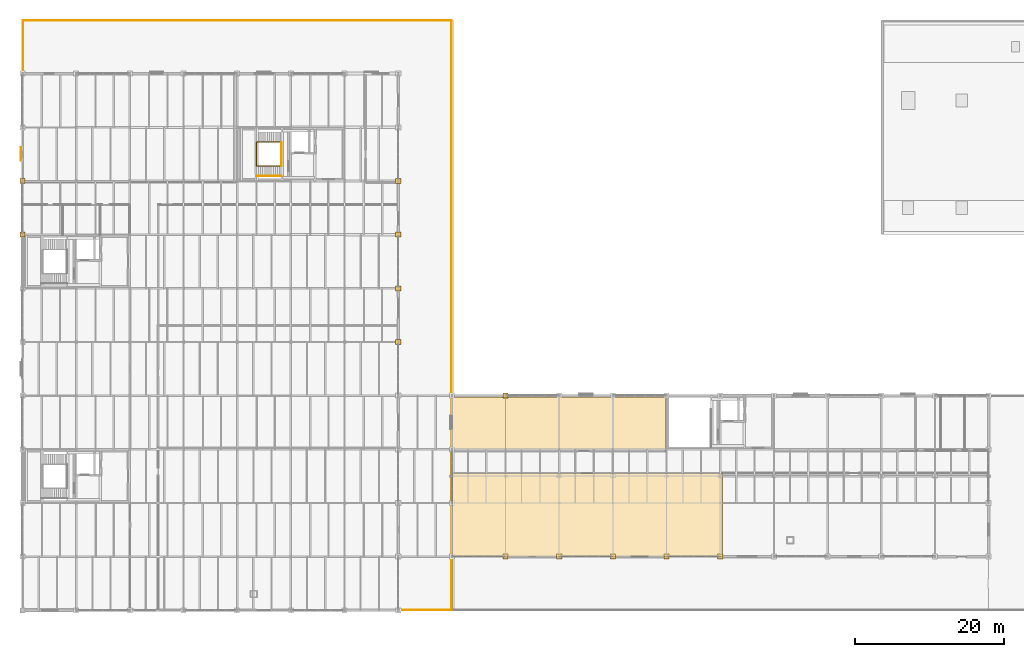
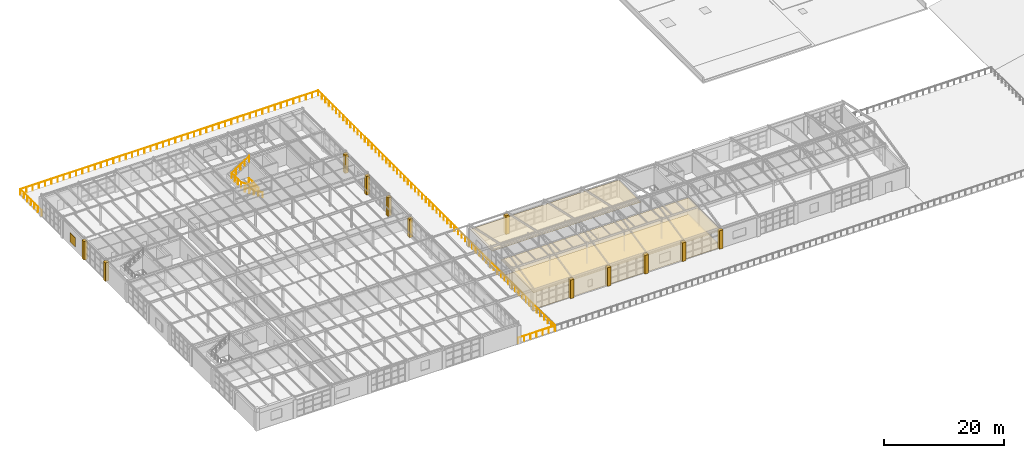
# One storey, part 98 of 101: 15 coverings, 4 railings, 1 shading device.
"""IFC4 building model written with IfcOpenShell, lengths in metres."""

from ifc_helpers import new_model, si_unit, direction, frame, origin, origin_2d, place, context, subcontext, project, spatial, polyline, rectangle, circle, outline, extrude, material, layer, layer_set, type_object, element, save


model = new_model("IFC4")

# Units and contexts
model_context = context("Model", 3, precision=1e-05, world=origin(), true_north=direction((0.0, 1.0)))
body_context = subcontext(model_context, "Body", "Model", "MODEL_VIEW")
ifc_project = project(units=[si_unit("LENGTHUNIT", "METRE"), si_unit("AREAUNIT", "SQUARE_METRE"), si_unit("VOLUMEUNIT", "CUBIC_METRE"), si_unit("PLANEANGLEUNIT", "RADIAN"), si_unit("MASSUNIT", "GRAM", prefix="KILO")], contexts=[model_context])

# Site, building, storey
site_placement = place(None, origin())
site = spatial("IfcSite", under=ifc_project, at=site_placement, CompositionType="ELEMENT")
building_placement = place(site_placement, origin())
building = spatial("IfcBuilding", under=site, at=building_placement, Name="Kemerveld Promenade Tramway Depot", CompositionType="ELEMENT")
storey_placement = place(building_placement, frame((0.0, 0.0, 9.89990234375)))
storey = spatial("IfcBuildingStorey", under=building, at=storey_placement, Name="L02", CompositionType="ELEMENT", Elevation=9.89990234375)

# Coverings
ifc_material_1 = material(Name="Perforated mineral-fibre acoustic ceiling")
ifc_layer_1 = layer(ifc_material_1, 0.02490234375)
ifc_layer_set_1 = layer_set([ifc_layer_1], Name="COV-CEIL-AC")
covering_type_1 = type_object("IfcCoveringType", Name="COV-CEIL-AC", PredefinedType="CEILING", material=ifc_layer_set_1)
covering_1_placement = place(storey_placement, frame((0.0, 0.0, 3.35498046875)))
element("IfcCovering", 1, at=covering_1_placement, inside=storey, type_object=covering_type_1, Name="CEIL-RM-L02-V4-ARCH", PredefinedType="CEILING", context=body_context, shape_type="SweptSolid", body=[
    extrude(outline(polyline([(57.64990234375, 7.25), (93.949951171875, 7.25), (93.949951171875, 18.3349609375), (57.64990234375, 18.3349609375), (57.64990234375, 7.25)])), origin(), (0.0, 0.0, 1.0), 0.025146484375),
])
covering_2_placement = place(storey_placement, frame((0.0, 0.0, 3.35498046875)))
element("IfcCovering", 2, at=covering_2_placement, inside=storey, type_object=covering_type_1, Name="CEIL-RM-L02-V4-CUR", PredefinedType="CEILING", context=body_context, shape_type="SweptSolid", body=[
    extrude(outline(polyline([(57.64990234375, 21.25), (86.35009765625, 21.25), (86.35009765625, 28.64990234375), (57.64990234375, 28.64990234375), (57.64990234375, 21.25)])), origin(), (0.0, 0.0, 1.0), 0.025146484375),
])
ifc_material_2 = material(Name="Dressed Harare granite ashlar cladding", Category="masonry")
ifc_layer_2 = layer(ifc_material_2, 0.050048828125)
ifc_layer_set_2 = layer_set([ifc_layer_2], Name="COV-CLAD-GRAN")
covering_type_2 = type_object("IfcCoveringType", Name="COV-CLAD-GRAN", PredefinedType="CLADDING", material=ifc_layer_set_2)
covering_3_placement = place(storey_placement, origin())
element("IfcCovering", 3, at=covering_3_placement, inside=storey, type_object=covering_type_2, Name="CLAD-PIER-L02-300", PredefinedType="CLADDING", context=body_context, shape_type="SweptSolid", body=[
    extrude(outline(polyline([(-0.340087890625, 50.06005859375), (0.340087890625, 50.06005859375), (0.340087890625, 50.739990234375), (-0.340087890625, 50.739990234375), (-0.340087890625, 50.06005859375)])), origin(), (0.0, 0.0, 1.0), 3.800048828125),
])
covering_4_placement = place(storey_placement, origin())
element("IfcCovering", 4, at=covering_4_placement, inside=storey, type_object=covering_type_2, Name="CLAD-PIER-L02-301", PredefinedType="CLADDING", context=body_context, shape_type="SweptSolid", body=[
    extrude(outline(polyline([(-0.340087890625, 57.260009765625), (0.340087890625, 57.260009765625), (0.340087890625, 57.93994140625), (-0.340087890625, 57.93994140625), (-0.340087890625, 57.260009765625)])), origin(), (0.0, 0.0, 1.0), 3.800048828125),
])
covering_5_placement = place(storey_placement, origin())
element("IfcCovering", 5, at=covering_5_placement, inside=storey, type_object=covering_type_2, Name="CLAD-PIER-L02-312", PredefinedType="CLADDING", context=body_context, shape_type="SweptSolid", body=[
    extrude(outline(polyline([(50.06005859375, 57.260009765625), (50.739990234375, 57.260009765625), (50.739990234375, 57.93994140625), (50.06005859375, 57.93994140625), (50.06005859375, 57.260009765625)])), origin(), (0.0, 0.0, 1.0), 3.800048828125),
])
covering_6_placement = place(storey_placement, origin())
element("IfcCovering", 6, at=covering_6_placement, inside=storey, type_object=covering_type_2, Name="CLAD-PIER-L02-313", PredefinedType="CLADDING", context=body_context, shape_type="SweptSolid", body=[
    extrude(outline(polyline([(50.06005859375, 50.06005859375), (50.739990234375, 50.06005859375), (50.739990234375, 50.739990234375), (50.06005859375, 50.739990234375), (50.06005859375, 50.06005859375)])), origin(), (0.0, 0.0, 1.0), 3.800048828125),
])
covering_7_placement = place(storey_placement, origin())
element("IfcCovering", 7, at=covering_7_placement, inside=storey, type_object=covering_type_2, Name="CLAD-PIER-L02-314", PredefinedType="CLADDING", context=body_context, shape_type="SweptSolid", body=[
    extrude(outline(polyline([(50.06005859375, 42.860107421875), (50.739990234375, 42.860107421875), (50.739990234375, 43.5400390625), (50.06005859375, 43.5400390625), (50.06005859375, 42.860107421875)])), origin(), (0.0, 0.0, 1.0), 3.800048828125),
])
covering_8_placement = place(storey_placement, origin())
element("IfcCovering", 8, at=covering_8_placement, inside=storey, type_object=covering_type_2, Name="CLAD-PIER-L02-315", PredefinedType="CLADDING", context=body_context, shape_type="SweptSolid", body=[
    extrude(outline(polyline([(50.06005859375, 35.659912109375), (50.739990234375, 35.659912109375), (50.739990234375, 36.340087890625), (50.06005859375, 36.340087890625), (50.06005859375, 35.659912109375)])), origin(), (0.0, 0.0, 1.0), 3.800048828125),
])
covering_9_placement = place(storey_placement, origin())
element("IfcCovering", 9, at=covering_9_placement, inside=storey, type_object=covering_type_2, Name="CLAD-PIER-L02-332", PredefinedType="CLADDING", context=body_context, shape_type="SweptSolid", body=[
    extrude(outline(polyline([(93.260009765625, 6.860107421875), (93.93994140625, 6.860107421875), (93.93994140625, 7.5400390625), (93.260009765625, 7.5400390625), (93.260009765625, 6.860107421875)])), origin(), (0.0, 0.0, 1.0), 3.800048828125),
])
covering_10_placement = place(storey_placement, origin())
element("IfcCovering", 10, at=covering_10_placement, inside=storey, type_object=covering_type_2, Name="CLAD-PIER-L02-333", PredefinedType="CLADDING", context=body_context, shape_type="SweptSolid", body=[
    extrude(outline(polyline([(86.06005859375, 6.860107421875), (86.739990234375, 6.860107421875), (86.739990234375, 7.5400390625), (86.06005859375, 7.5400390625), (86.06005859375, 6.860107421875)])), origin(), (0.0, 0.0, 1.0), 3.800048828125),
])
covering_11_placement = place(storey_placement, origin())
element("IfcCovering", 11, at=covering_11_placement, inside=storey, type_object=covering_type_2, Name="CLAD-PIER-L02-334", PredefinedType="CLADDING", context=body_context, shape_type="SweptSolid", body=[
    extrude(outline(polyline([(78.860107421875, 6.860107421875), (79.5400390625, 6.860107421875), (79.5400390625, 7.5400390625), (78.860107421875, 7.5400390625), (78.860107421875, 6.860107421875)])), origin(), (0.0, 0.0, 1.0), 3.800048828125),
])
covering_12_placement = place(storey_placement, origin())
element("IfcCovering", 12, at=covering_12_placement, inside=storey, type_object=covering_type_2, Name="CLAD-PIER-L02-335", PredefinedType="CLADDING", context=body_context, shape_type="SweptSolid", body=[
    extrude(outline(polyline([(71.659912109375, 6.860107421875), (72.340087890625, 6.860107421875), (72.340087890625, 7.5400390625), (71.659912109375, 7.5400390625), (71.659912109375, 6.860107421875)])), origin(), (0.0, 0.0, 1.0), 3.800048828125),
])
covering_13_placement = place(storey_placement, origin())
element("IfcCovering", 13, at=covering_13_placement, inside=storey, type_object=covering_type_2, Name="CLAD-PIER-L02-336", PredefinedType="CLADDING", context=body_context, shape_type="SweptSolid", body=[
    extrude(outline(polyline([(64.4599609375, 6.860107421875), (65.139892578125, 6.860107421875), (65.139892578125, 7.5400390625), (64.4599609375, 7.5400390625), (64.4599609375, 6.860107421875)])), origin(), (0.0, 0.0, 1.0), 3.800048828125),
])
covering_14_placement = place(storey_placement, origin())
element("IfcCovering", 14, at=covering_14_placement, inside=storey, type_object=covering_type_2, Name="CLAD-PIER-L02-338", PredefinedType="CLADDING", context=body_context, shape_type="SweptSolid", body=[
    extrude(outline(polyline([(64.4599609375, 28.4599609375), (65.139892578125, 28.4599609375), (65.139892578125, 29.139892578125), (64.4599609375, 29.139892578125), (64.4599609375, 28.4599609375)])), origin(), (0.0, 0.0, 1.0), 3.800048828125),
])
ifc_material_3 = material(Name="Honed Harare granite terrazzo flooring", Category="masonry")
ifc_layer_3 = layer(ifc_material_3, 0.02001953125)
ifc_layer_set_3 = layer_set([ifc_layer_3], Name="COV-FLR-TERR")
covering_type_3 = type_object("IfcCoveringType", Name="COV-FLR-TERR", PredefinedType="FLOORING", material=ifc_layer_set_3)
covering_15_placement = place(storey_placement, origin())
element("IfcCovering", 15, at=covering_15_placement, inside=storey, type_object=covering_type_3, Name="FLR-RM-L02-V4-ARCH", PredefinedType="FLOORING", context=body_context, shape_type="SweptSolid", body=[
    extrude(outline(polyline([(57.64990234375, 7.25), (93.949951171875, 7.25), (93.949951171875, 18.3349609375), (57.64990234375, 18.3349609375), (57.64990234375, 7.25)])), origin(), (0.0, 0.0, 1.0), 0.02001953125),
])

# Railings
ifc_material_4 = material(Name="Bronze-finished steel and laminated safety glass", Category="steel")
railing_type_1 = type_object("IfcRailingType", Name="RL-BAL-1100", PredefinedType="BALUSTRADE", material=ifc_material_4)
railing_1_placement = place(storey_placement, frame((50.449951171875, 0.050048828125, 0.0)))
element("IfcRailing", 16, at=railing_1_placement, inside=storey, type_object=railing_type_1, Name="RL-TER-L02-COURT", PredefinedType="BALUSTRADE", context=body_context, shape_type="SweptSolid", body=[
    extrude(circle(Radius=0.02392578125, at=origin_2d()), frame((0.0, 0.0, 1.09619140625), z_axis=(1.0, 0.0, 0.0), x_axis=(0.0, 1.0, 0.0)), (0.0, 0.0, 1.0), 7.10009765625),
    extrude(circle(Radius=0.02392578125, at=origin_2d()), frame((7.10009765625, 0.0, 1.09619140625), z_axis=(0.0, 1.0, 0.0), x_axis=(-1.0, 0.0, 0.0)), (0.0, 0.0, 1.0), 79.099853515625),
    extrude(circle(Radius=0.02392578125, at=origin_2d()), frame((7.10009765625, 79.099853515625, 1.09619140625), z_axis=(-1.0, 0.0, 0.0), x_axis=(0.0, -1.0, 0.0)), (0.0, 0.0, 1.0), 57.5),
    extrude(circle(Radius=0.02392578125, at=origin_2d()), frame((-50.39990234375, 79.099853515625, 1.09619140625), z_axis=(0.0, -1.0, 0.0), x_axis=(1.0, 0.0, 0.0)), (0.0, 0.0, 1.0), 7.099853515625),
    extrude(circle(Radius=0.02099609375, at=origin_2d()), origin(), (0.0, 0.0, 1.0), 1.072021484375),
    extrude(circle(Radius=0.02099609375, at=origin_2d()), frame((1.183349609375, 0.0, 0.0)), (0.0, 0.0, 1.0), 1.072021484375),
    extrude(circle(Radius=0.02099609375, at=origin_2d()), frame((2.36669921875, 0.0, 0.0)), (0.0, 0.0, 1.0), 1.072021484375),
    extrude(circle(Radius=0.02099609375, at=origin_2d()), frame((3.550048828125, 0.0, 0.0)), (0.0, 0.0, 1.0), 1.072021484375),
    extrude(circle(Radius=0.02099609375, at=origin_2d()), frame((4.7333984375, 0.0, 0.0)), (0.0, 0.0, 1.0), 1.072021484375),
    extrude(circle(Radius=0.02099609375, at=origin_2d()), frame((5.916748046875, 0.0, 0.0)), (0.0, 0.0, 1.0), 1.072021484375),
    extrude(circle(Radius=0.02099609375, at=origin_2d()), frame((7.10009765625, 0.0, 0.0)), (0.0, 0.0, 1.0), 1.072021484375),
    extrude(circle(Radius=0.02099609375, at=origin_2d()), frame((7.10009765625, 1.198486328125, 0.0)), (0.0, 0.0, 1.0), 1.072021484375),
    extrude(circle(Radius=0.02099609375, at=origin_2d()), frame((7.10009765625, 2.39697265625, 0.0)), (0.0, 0.0, 1.0), 1.072021484375),
    extrude(circle(Radius=0.02099609375, at=origin_2d()), frame((7.10009765625, 3.595458984375, 0.0)), (0.0, 0.0, 1.0), 1.072021484375),
    extrude(circle(Radius=0.02099609375, at=origin_2d()), frame((7.10009765625, 4.7939453125, 0.0)), (0.0, 0.0, 1.0), 1.072021484375),
    extrude(circle(Radius=0.02099609375, at=origin_2d()), frame((7.10009765625, 5.992431640625, 0.0)), (0.0, 0.0, 1.0), 1.072021484375),
    extrude(circle(Radius=0.02099609375, at=origin_2d()), frame((7.10009765625, 7.19091796875, 0.0)), (0.0, 0.0, 1.0), 1.072021484375),
    extrude(circle(Radius=0.02099609375, at=origin_2d()), frame((7.10009765625, 8.389404296875, 0.0)), (0.0, 0.0, 1.0), 1.072021484375),
    extrude(circle(Radius=0.02099609375, at=origin_2d()), frame((7.10009765625, 9.587890625, 0.0)), (0.0, 0.0, 1.0), 1.072021484375),
    extrude(circle(Radius=0.02099609375, at=origin_2d()), frame((7.10009765625, 10.786376953125, 0.0)), (0.0, 0.0, 1.0), 1.072021484375),
    extrude(circle(Radius=0.02099609375, at=origin_2d()), frame((7.10009765625, 11.98486328125, 0.0)), (0.0, 0.0, 1.0), 1.072021484375),
    extrude(circle(Radius=0.02099609375, at=origin_2d()), frame((7.10009765625, 13.183349609375, 0.0)), (0.0, 0.0, 1.0), 1.072021484375),
    extrude(circle(Radius=0.02099609375, at=origin_2d()), frame((7.10009765625, 14.3818359375, 0.0)), (0.0, 0.0, 1.0), 1.072021484375),
    extrude(circle(Radius=0.02099609375, at=origin_2d()), frame((7.10009765625, 15.580322265625, 0.0)), (0.0, 0.0, 1.0), 1.072021484375),
    extrude(circle(Radius=0.02099609375, at=origin_2d()), frame((7.10009765625, 16.77880859375, 0.0)), (0.0, 0.0, 1.0), 1.072021484375),
    extrude(circle(Radius=0.02099609375, at=origin_2d()), frame((7.10009765625, 17.977294921875, 0.0)), (0.0, 0.0, 1.0), 1.072021484375),
    extrude(circle(Radius=0.02099609375, at=origin_2d()), frame((7.10009765625, 19.17578125, 0.0)), (0.0, 0.0, 1.0), 1.072021484375),
    extrude(circle(Radius=0.02099609375, at=origin_2d()), frame((7.10009765625, 20.374267578125, 0.0)), (0.0, 0.0, 1.0), 1.072021484375),
    extrude(circle(Radius=0.02099609375, at=origin_2d()), frame((7.10009765625, 21.57275390625, 0.0)), (0.0, 0.0, 1.0), 1.072021484375),
    extrude(circle(Radius=0.02099609375, at=origin_2d()), frame((7.10009765625, 22.771240234375, 0.0)), (0.0, 0.0, 1.0), 1.072021484375),
    extrude(circle(Radius=0.02099609375, at=origin_2d()), frame((7.10009765625, 23.9697265625, 0.0)), (0.0, 0.0, 1.0), 1.072021484375),
    extrude(circle(Radius=0.02099609375, at=origin_2d()), frame((7.10009765625, 25.168212890625, 0.0)), (0.0, 0.0, 1.0), 1.072021484375),
    extrude(circle(Radius=0.02099609375, at=origin_2d()), frame((7.10009765625, 26.36669921875, 0.0)), (0.0, 0.0, 1.0), 1.072021484375),
    extrude(circle(Radius=0.02099609375, at=origin_2d()), frame((7.10009765625, 27.565185546875, 0.0)), (0.0, 0.0, 1.0), 1.072021484375),
    extrude(circle(Radius=0.02099609375, at=origin_2d()), frame((7.10009765625, 28.763671875, 0.0)), (0.0, 0.0, 1.0), 1.072021484375),
    extrude(circle(Radius=0.02099609375, at=origin_2d()), frame((7.10009765625, 29.962158203125, 0.0)), (0.0, 0.0, 1.0), 1.072021484375),
    extrude(circle(Radius=0.02099609375, at=origin_2d()), frame((7.10009765625, 31.16064453125, 0.0)), (0.0, 0.0, 1.0), 1.072021484375),
    extrude(circle(Radius=0.02099609375, at=origin_2d()), frame((7.10009765625, 32.359130859375, 0.0)), (0.0, 0.0, 1.0), 1.072021484375),
    extrude(circle(Radius=0.02099609375, at=origin_2d()), frame((7.10009765625, 33.5576171875, 0.0)), (0.0, 0.0, 1.0), 1.072021484375),
    extrude(circle(Radius=0.02099609375, at=origin_2d()), frame((7.10009765625, 34.756103515625, 0.0)), (0.0, 0.0, 1.0), 1.072021484375),
    extrude(circle(Radius=0.02099609375, at=origin_2d()), frame((7.10009765625, 35.95458984375, 0.0)), (0.0, 0.0, 1.0), 1.072021484375),
    extrude(circle(Radius=0.02099609375, at=origin_2d()), frame((7.10009765625, 37.153076171875, 0.0)), (0.0, 0.0, 1.0), 1.072021484375),
    extrude(circle(Radius=0.02099609375, at=origin_2d()), frame((7.10009765625, 38.3515625, 0.0)), (0.0, 0.0, 1.0), 1.072021484375),
    extrude(circle(Radius=0.02099609375, at=origin_2d()), frame((7.10009765625, 39.5498046875, 0.0)), (0.0, 0.0, 1.0), 1.072021484375),
    extrude(circle(Radius=0.02099609375, at=origin_2d()), frame((7.10009765625, 40.748291015625, 0.0)), (0.0, 0.0, 1.0), 1.072021484375),
    extrude(circle(Radius=0.02099609375, at=origin_2d()), frame((7.10009765625, 41.94677734375, 0.0)), (0.0, 0.0, 1.0), 1.072021484375),
    extrude(circle(Radius=0.02099609375, at=origin_2d()), frame((7.10009765625, 43.145263671875, 0.0)), (0.0, 0.0, 1.0), 1.072021484375),
    extrude(circle(Radius=0.02099609375, at=origin_2d()), frame((7.10009765625, 44.34375, 0.0)), (0.0, 0.0, 1.0), 1.072021484375),
    extrude(circle(Radius=0.02099609375, at=origin_2d()), frame((7.10009765625, 45.542236328125, 0.0)), (0.0, 0.0, 1.0), 1.072021484375),
    extrude(circle(Radius=0.02099609375, at=origin_2d()), frame((7.10009765625, 46.74072265625, 0.0)), (0.0, 0.0, 1.0), 1.072021484375),
    extrude(circle(Radius=0.02099609375, at=origin_2d()), frame((7.10009765625, 47.939208984375, 0.0)), (0.0, 0.0, 1.0), 1.072021484375),
    extrude(circle(Radius=0.02099609375, at=origin_2d()), frame((7.10009765625, 49.1376953125, 0.0)), (0.0, 0.0, 1.0), 1.072021484375),
    extrude(circle(Radius=0.02099609375, at=origin_2d()), frame((7.10009765625, 50.336181640625, 0.0)), (0.0, 0.0, 1.0), 1.072021484375),
    extrude(circle(Radius=0.02099609375, at=origin_2d()), frame((7.10009765625, 51.53466796875, 0.0)), (0.0, 0.0, 1.0), 1.072021484375),
    extrude(circle(Radius=0.02099609375, at=origin_2d()), frame((7.10009765625, 52.733154296875, 0.0)), (0.0, 0.0, 1.0), 1.072021484375),
    extrude(circle(Radius=0.02099609375, at=origin_2d()), frame((7.10009765625, 53.931640625, 0.0)), (0.0, 0.0, 1.0), 1.072021484375),
    extrude(circle(Radius=0.02099609375, at=origin_2d()), frame((7.10009765625, 55.130126953125, 0.0)), (0.0, 0.0, 1.0), 1.072021484375),
    extrude(circle(Radius=0.02099609375, at=origin_2d()), frame((7.10009765625, 56.32861328125, 0.0)), (0.0, 0.0, 1.0), 1.072021484375),
    extrude(circle(Radius=0.02099609375, at=origin_2d()), frame((7.10009765625, 57.527099609375, 0.0)), (0.0, 0.0, 1.0), 1.072021484375),
    extrude(circle(Radius=0.02099609375, at=origin_2d()), frame((7.10009765625, 58.7255859375, 0.0)), (0.0, 0.0, 1.0), 1.072021484375),
    extrude(circle(Radius=0.02099609375, at=origin_2d()), frame((7.10009765625, 59.924072265625, 0.0)), (0.0, 0.0, 1.0), 1.072021484375),
    extrude(circle(Radius=0.02099609375, at=origin_2d()), frame((7.10009765625, 61.12255859375, 0.0)), (0.0, 0.0, 1.0), 1.072021484375),
    extrude(circle(Radius=0.02099609375, at=origin_2d()), frame((7.10009765625, 62.321044921875, 0.0)), (0.0, 0.0, 1.0), 1.072021484375),
    extrude(circle(Radius=0.02099609375, at=origin_2d()), frame((7.10009765625, 63.51953125, 0.0)), (0.0, 0.0, 1.0), 1.072021484375),
    extrude(circle(Radius=0.02099609375, at=origin_2d()), frame((7.10009765625, 64.718017578125, 0.0)), (0.0, 0.0, 1.0), 1.072021484375),
    extrude(circle(Radius=0.02099609375, at=origin_2d()), frame((7.10009765625, 65.91650390625, 0.0)), (0.0, 0.0, 1.0), 1.072021484375),
    extrude(circle(Radius=0.02099609375, at=origin_2d()), frame((7.10009765625, 67.114990234375, 0.0)), (0.0, 0.0, 1.0), 1.072021484375),
    extrude(circle(Radius=0.02099609375, at=origin_2d()), frame((7.10009765625, 68.3134765625, 0.0)), (0.0, 0.0, 1.0), 1.072021484375),
    extrude(circle(Radius=0.02099609375, at=origin_2d()), frame((7.10009765625, 69.511962890625, 0.0)), (0.0, 0.0, 1.0), 1.072021484375),
    extrude(circle(Radius=0.02099609375, at=origin_2d()), frame((7.10009765625, 70.71044921875, 0.0)), (0.0, 0.0, 1.0), 1.072021484375),
    extrude(circle(Radius=0.02099609375, at=origin_2d()), frame((7.10009765625, 71.908935546875, 0.0)), (0.0, 0.0, 1.0), 1.072021484375),
    extrude(circle(Radius=0.02099609375, at=origin_2d()), frame((7.10009765625, 73.107421875, 0.0)), (0.0, 0.0, 1.0), 1.072021484375),
    extrude(circle(Radius=0.02099609375, at=origin_2d()), frame((7.10009765625, 74.305908203125, 0.0)), (0.0, 0.0, 1.0), 1.072021484375),
    extrude(circle(Radius=0.02099609375, at=origin_2d()), frame((7.10009765625, 75.50439453125, 0.0)), (0.0, 0.0, 1.0), 1.072021484375),
    extrude(circle(Radius=0.02099609375, at=origin_2d()), frame((7.10009765625, 76.702880859375, 0.0)), (0.0, 0.0, 1.0), 1.072021484375),
    extrude(circle(Radius=0.02099609375, at=origin_2d()), frame((7.10009765625, 77.9013671875, 0.0)), (0.0, 0.0, 1.0), 1.072021484375),
    extrude(circle(Radius=0.02099609375, at=origin_2d()), frame((7.10009765625, 79.099853515625, 0.0)), (0.0, 0.0, 1.0), 1.072021484375),
    extrude(circle(Radius=0.02099609375, at=origin_2d()), frame((5.902099609375, 79.099853515625, 0.0)), (0.0, 0.0, 1.0), 1.072021484375),
    extrude(circle(Radius=0.02099609375, at=origin_2d()), frame((4.704345703125, 79.099853515625, 0.0)), (0.0, 0.0, 1.0), 1.072021484375),
    extrude(circle(Radius=0.02099609375, at=origin_2d()), frame((3.50634765625, 79.099853515625, 0.0)), (0.0, 0.0, 1.0), 1.072021484375),
    extrude(circle(Radius=0.02099609375, at=origin_2d()), frame((2.308349609375, 79.099853515625, 0.0)), (0.0, 0.0, 1.0), 1.072021484375),
    extrude(circle(Radius=0.02099609375, at=origin_2d()), frame((1.110595703125, 79.099853515625, 0.0)), (0.0, 0.0, 1.0), 1.072021484375),
    extrude(circle(Radius=0.02099609375, at=origin_2d()), frame((-0.08740234375, 79.099853515625, 0.0)), (0.0, 0.0, 1.0), 1.072021484375),
    extrude(circle(Radius=0.02099609375, at=origin_2d()), frame((-1.285400390625, 79.099853515625, 0.0)), (0.0, 0.0, 1.0), 1.072021484375),
    extrude(circle(Radius=0.02099609375, at=origin_2d()), frame((-2.483154296875, 79.099853515625, 0.0)), (0.0, 0.0, 1.0), 1.072021484375),
    extrude(circle(Radius=0.02099609375, at=origin_2d()), frame((-3.68115234375, 79.099853515625, 0.0)), (0.0, 0.0, 1.0), 1.072021484375),
    extrude(circle(Radius=0.02099609375, at=origin_2d()), frame((-4.879150390625, 79.099853515625, 0.0)), (0.0, 0.0, 1.0), 1.072021484375),
    extrude(circle(Radius=0.02099609375, at=origin_2d()), frame((-6.076904296875, 79.099853515625, 0.0)), (0.0, 0.0, 1.0), 1.072021484375),
    extrude(circle(Radius=0.02099609375, at=origin_2d()), frame((-7.27490234375, 79.099853515625, 0.0)), (0.0, 0.0, 1.0), 1.072021484375),
    extrude(circle(Radius=0.02099609375, at=origin_2d()), frame((-8.472900390625, 79.099853515625, 0.0)), (0.0, 0.0, 1.0), 1.072021484375),
    extrude(circle(Radius=0.02099609375, at=origin_2d()), frame((-9.670654296875, 79.099853515625, 0.0)), (0.0, 0.0, 1.0), 1.072021484375),
    extrude(circle(Radius=0.02099609375, at=origin_2d()), frame((-10.86865234375, 79.099853515625, 0.0)), (0.0, 0.0, 1.0), 1.072021484375),
    extrude(circle(Radius=0.02099609375, at=origin_2d()), frame((-12.066650390625, 79.099853515625, 0.0)), (0.0, 0.0, 1.0), 1.072021484375),
    extrude(circle(Radius=0.02099609375, at=origin_2d()), frame((-13.264404296875, 79.099853515625, 0.0)), (0.0, 0.0, 1.0), 1.072021484375),
    extrude(circle(Radius=0.02099609375, at=origin_2d()), frame((-14.46240234375, 79.099853515625, 0.0)), (0.0, 0.0, 1.0), 1.072021484375),
    extrude(circle(Radius=0.02099609375, at=origin_2d()), frame((-15.660400390625, 79.099853515625, 0.0)), (0.0, 0.0, 1.0), 1.072021484375),
    extrude(circle(Radius=0.02099609375, at=origin_2d()), frame((-16.858154296875, 79.099853515625, 0.0)), (0.0, 0.0, 1.0), 1.072021484375),
    extrude(circle(Radius=0.02099609375, at=origin_2d()), frame((-18.05615234375, 79.099853515625, 0.0)), (0.0, 0.0, 1.0), 1.072021484375),
    extrude(circle(Radius=0.02099609375, at=origin_2d()), frame((-19.254150390625, 79.099853515625, 0.0)), (0.0, 0.0, 1.0), 1.072021484375),
    extrude(circle(Radius=0.02099609375, at=origin_2d()), frame((-20.451904296875, 79.099853515625, 0.0)), (0.0, 0.0, 1.0), 1.072021484375),
    extrude(circle(Radius=0.02099609375, at=origin_2d()), frame((-21.64990234375, 79.099853515625, 0.0)), (0.0, 0.0, 1.0), 1.072021484375),
    extrude(circle(Radius=0.02099609375, at=origin_2d()), frame((-22.847900390625, 79.099853515625, 0.0)), (0.0, 0.0, 1.0), 1.072021484375),
    extrude(circle(Radius=0.02099609375, at=origin_2d()), frame((-24.045654296875, 79.099853515625, 0.0)), (0.0, 0.0, 1.0), 1.072021484375),
    extrude(circle(Radius=0.02099609375, at=origin_2d()), frame((-25.24365234375, 79.099853515625, 0.0)), (0.0, 0.0, 1.0), 1.072021484375),
    extrude(circle(Radius=0.02099609375, at=origin_2d()), frame((-26.441650390625, 79.099853515625, 0.0)), (0.0, 0.0, 1.0), 1.072021484375),
    extrude(circle(Radius=0.02099609375, at=origin_2d()), frame((-27.639404296875, 79.099853515625, 0.0)), (0.0, 0.0, 1.0), 1.072021484375),
    extrude(circle(Radius=0.02099609375, at=origin_2d()), frame((-28.83740234375, 79.099853515625, 0.0)), (0.0, 0.0, 1.0), 1.072021484375),
    extrude(circle(Radius=0.02099609375, at=origin_2d()), frame((-30.035400390625, 79.099853515625, 0.0)), (0.0, 0.0, 1.0), 1.072021484375),
    extrude(circle(Radius=0.02099609375, at=origin_2d()), frame((-31.233154296875, 79.099853515625, 0.0)), (0.0, 0.0, 1.0), 1.072021484375),
    extrude(circle(Radius=0.02099609375, at=origin_2d()), frame((-32.43115234375, 79.099853515625, 0.0)), (0.0, 0.0, 1.0), 1.072021484375),
    extrude(circle(Radius=0.02099609375, at=origin_2d()), frame((-33.629150390625, 79.099853515625, 0.0)), (0.0, 0.0, 1.0), 1.072021484375),
    extrude(circle(Radius=0.02099609375, at=origin_2d()), frame((-34.826904296875, 79.099853515625, 0.0)), (0.0, 0.0, 1.0), 1.072021484375),
    extrude(circle(Radius=0.02099609375, at=origin_2d()), frame((-36.02490234375, 79.099853515625, 0.0)), (0.0, 0.0, 1.0), 1.072021484375),
    extrude(circle(Radius=0.02099609375, at=origin_2d()), frame((-37.222900390625, 79.099853515625, 0.0)), (0.0, 0.0, 1.0), 1.072021484375),
    extrude(circle(Radius=0.02099609375, at=origin_2d()), frame((-38.420654296875, 79.099853515625, 0.0)), (0.0, 0.0, 1.0), 1.072021484375),
    extrude(circle(Radius=0.02099609375, at=origin_2d()), frame((-39.61865234375, 79.099853515625, 0.0)), (0.0, 0.0, 1.0), 1.072021484375),
    extrude(circle(Radius=0.02099609375, at=origin_2d()), frame((-40.816650390625, 79.099853515625, 0.0)), (0.0, 0.0, 1.0), 1.072021484375),
    extrude(circle(Radius=0.02099609375, at=origin_2d()), frame((-42.014404296875, 79.099853515625, 0.0)), (0.0, 0.0, 1.0), 1.072021484375),
    extrude(circle(Radius=0.02099609375, at=origin_2d()), frame((-43.21240234375, 79.099853515625, 0.0)), (0.0, 0.0, 1.0), 1.072021484375),
    extrude(circle(Radius=0.02099609375, at=origin_2d()), frame((-44.410400390625, 79.099853515625, 0.0)), (0.0, 0.0, 1.0), 1.072021484375),
    extrude(circle(Radius=0.02099609375, at=origin_2d()), frame((-45.608154296875, 79.099853515625, 0.0)), (0.0, 0.0, 1.0), 1.072021484375),
    extrude(circle(Radius=0.02099609375, at=origin_2d()), frame((-46.80615234375, 79.099853515625, 0.0)), (0.0, 0.0, 1.0), 1.072021484375),
    extrude(circle(Radius=0.02099609375, at=origin_2d()), frame((-48.004150390625, 79.099853515625, 0.0)), (0.0, 0.0, 1.0), 1.072021484375),
    extrude(circle(Radius=0.02099609375, at=origin_2d()), frame((-49.201904296875, 79.099853515625, 0.0)), (0.0, 0.0, 1.0), 1.072021484375),
    extrude(circle(Radius=0.02099609375, at=origin_2d()), frame((-50.39990234375, 79.099853515625, 0.0)), (0.0, 0.0, 1.0), 1.072021484375),
    extrude(circle(Radius=0.02099609375, at=origin_2d()), frame((-50.39990234375, 77.91650390625, 0.0)), (0.0, 0.0, 1.0), 1.072021484375),
    extrude(circle(Radius=0.02099609375, at=origin_2d()), frame((-50.39990234375, 76.733154296875, 0.0)), (0.0, 0.0, 1.0), 1.072021484375),
    extrude(circle(Radius=0.02099609375, at=origin_2d()), frame((-50.39990234375, 75.5498046875, 0.0)), (0.0, 0.0, 1.0), 1.072021484375),
    extrude(circle(Radius=0.02099609375, at=origin_2d()), frame((-50.39990234375, 74.36669921875, 0.0)), (0.0, 0.0, 1.0), 1.072021484375),
    extrude(circle(Radius=0.02099609375, at=origin_2d()), frame((-50.39990234375, 73.183349609375, 0.0)), (0.0, 0.0, 1.0), 1.072021484375),
    extrude(circle(Radius=0.02099609375, at=origin_2d()), frame((-50.39990234375, 72.0, 0.0)), (0.0, 0.0, 1.0), 1.072021484375),
])
ifc_material_5 = material(Name="Galvanised painted steel balustrade", Category="steel")
railing_type_2 = type_object("IfcRailingType", Name="RL-GRD-1100", PredefinedType="GUARDRAIL", material=ifc_material_5)
railing_2_placement = place(storey_placement, frame((34.780029296875, 59.590087890625, 0.0)))
element("IfcRailing", 17, at=railing_2_placement, inside=storey, type_object=railing_type_2, Name="RL-GRD-ST-03-L02", PredefinedType="GUARDRAIL", context=body_context, shape_type="SweptSolid", body=[
    extrude(circle(Radius=0.02392578125, at=origin_2d()), frame((0.0, 0.0, 1.09619140625), z_axis=(-0.833193183746, 0.0, 0.552982023722), x_axis=(0.0, -1.0, 0.0)), (0.0, 0.0, 1.0), 4.06884765625),
    extrude(circle(Radius=0.02392578125, at=origin_2d()), frame((-3.39013671875, 0.0, 3.34619140625), z_axis=(0.0, 1.0, 0.0), x_axis=(-1.0, 0.0, 0.0)), (0.0, 0.0, 1.0), 3.219970703125),
    extrude(circle(Radius=0.02392578125, at=origin_2d()), frame((-3.39013671875, 3.219970703125, 3.34619140625), z_axis=(0.833193183746, 0.0, 0.552982023722), x_axis=(0.0, 1.0, 0.0)), (0.0, 0.0, 1.0), 4.06884765625),
    extrude(circle(Radius=0.02099609375, at=origin_2d()), origin(), (0.0, 0.0, 1.0), 1.072021484375),
    extrude(circle(Radius=0.02099609375, at=origin_2d()), frame((-0.84765625, 0.0, 0.5625)), (0.0, 0.0, 1.0), 1.072021484375),
    extrude(circle(Radius=0.02099609375, at=origin_2d()), frame((-1.695068359375, 0.0, 1.125)), (0.0, 0.0, 1.0), 1.072021484375),
    extrude(circle(Radius=0.02099609375, at=origin_2d()), frame((-2.54248046875, 0.0, 1.6875)), (0.0, 0.0, 1.0), 1.072021484375),
    extrude(circle(Radius=0.02099609375, at=origin_2d()), frame((-3.39013671875, 0.0, 2.25)), (0.0, 0.0, 1.0), 1.072021484375),
    extrude(circle(Radius=0.02099609375, at=origin_2d()), frame((-3.39013671875, 1.0732421875, 2.25)), (0.0, 0.0, 1.0), 1.072021484375),
    extrude(circle(Radius=0.02099609375, at=origin_2d()), frame((-3.39013671875, 2.146728515625, 2.25)), (0.0, 0.0, 1.0), 1.072021484375),
    extrude(circle(Radius=0.02099609375, at=origin_2d()), frame((-3.39013671875, 3.219970703125, 2.25)), (0.0, 0.0, 1.0), 1.072021484375),
    extrude(circle(Radius=0.02099609375, at=origin_2d()), frame((-2.54248046875, 3.219970703125, 2.8125)), (0.0, 0.0, 1.0), 1.072021484375),
    extrude(circle(Radius=0.02099609375, at=origin_2d()), frame((-1.695068359375, 3.219970703125, 3.375)), (0.0, 0.0, 1.0), 1.072021484375),
    extrude(circle(Radius=0.02099609375, at=origin_2d()), frame((-0.84765625, 3.219970703125, 3.9375)), (0.0, 0.0, 1.0), 1.072021484375),
    extrude(circle(Radius=0.02099609375, at=origin_2d()), frame((0.0, 3.219970703125, 4.5)), (0.0, 0.0, 1.0), 1.072021484375),
])
railing_3_placement = place(storey_placement, frame((34.75, 59.60009765625, 0.0)))
element("IfcRailing", 18, at=railing_3_placement, inside=storey, type_object=railing_type_2, Name="RL-SLOT-C3-L02", PredefinedType="GUARDRAIL", context=body_context, shape_type="SweptSolid", body=[
    extrude(circle(Radius=0.02392578125, at=origin_2d()), frame((0.0, 0.0, 1.09619140625), z_axis=(0.0, 1.0, 0.0), x_axis=(-1.0, 0.0, 0.0)), (0.0, 0.0, 1.0), 3.199951171875),
    extrude(circle(Radius=0.02099609375, at=origin_2d()), origin(), (0.0, 0.0, 1.0), 1.072021484375),
    extrude(circle(Radius=0.02099609375, at=origin_2d()), frame((0.0, 1.066650390625, 0.0)), (0.0, 0.0, 1.0), 1.072021484375),
    extrude(circle(Radius=0.02099609375, at=origin_2d()), frame((0.0, 2.13330078125, 0.0)), (0.0, 0.0, 1.0), 1.072021484375),
    extrude(circle(Radius=0.02099609375, at=origin_2d()), frame((0.0, 3.199951171875, 0.0)), (0.0, 0.0, 1.0), 1.072021484375),
])
ifc_material_6 = material(Name="Brushed stainless steel tubular handrail", Category="steel")
railing_type_3 = type_object("IfcRailingType", Name="RL-HR-920", PredefinedType="HANDRAIL", material=ifc_material_6)
railing_4_placement = place(storey_placement, frame((34.780029296875, 58.27001953125, 0.0)))
element("IfcRailing", 19, at=railing_4_placement, inside=storey, type_object=railing_type_3, Name="RL-HR-ST-03-L02", PredefinedType="HANDRAIL", context=body_context, shape_type="SweptSolid", body=[
    extrude(circle(Radius=0.02392578125, at=origin_2d()), frame((0.0, 0.0, 0.89599609375), z_axis=(-0.835411317272, 0.0, 0.549625264133), x_axis=(0.0, -1.0, 0.0)), (0.0, 0.0, 1.0), 4.09375),
    extrude(circle(Radius=0.02099609375, at=origin_2d()), origin(), (0.0, 0.0, 1.0), 0.871826171875),
    extrude(circle(Radius=0.02099609375, at=origin_2d()), frame((-0.85498046875, 0.0, 0.5625)), (0.0, 0.0, 1.0), 0.871826171875),
    extrude(circle(Radius=0.02099609375, at=origin_2d()), frame((-1.7099609375, 0.0, 1.125)), (0.0, 0.0, 1.0), 0.871826171875),
    extrude(circle(Radius=0.02099609375, at=origin_2d()), frame((-2.56494140625, 0.0, 1.6875)), (0.0, 0.0, 1.0), 0.871826171875),
    extrude(circle(Radius=0.02099609375, at=origin_2d()), frame((-3.419921875, 0.0, 2.25)), (0.0, 0.0, 1.0), 0.871826171875),
])

# Shading device
ifc_material_7 = material(Name="Perforated bronze-aluminium sun screen", Category="aluminium")
ifc_layer_4 = layer(ifc_material_7, 0.080078125)
ifc_layer_set_4 = layer_set([ifc_layer_4], Name="SHD-SCREEN")
shading_device_type = type_object("IfcShadingDeviceType", Name="SHD-SCREEN", PredefinedType="SHUTTER", material=ifc_layer_set_4)
shading_device_placement = place(storey_placement, frame((-0.199951171875, 61.199951171875, 0.85009765625), z_axis=(0.0, 0.0, 1.0), x_axis=(1.0, 0.0, 0.0)))
element("IfcShadingDevice", 20, at=shading_device_placement, inside=storey, type_object=shading_device_type, Name="SHD-L02-021", PredefinedType="SHUTTER", context=body_context, shape_type="SweptSolid", body=[
    extrude(rectangle(XDim=0.080078125, YDim=1.800048828125, at=origin_2d()), origin(), (0.0, 0.0, 1.0), 1.800048828125),
])

save(model, "model.ifc")
